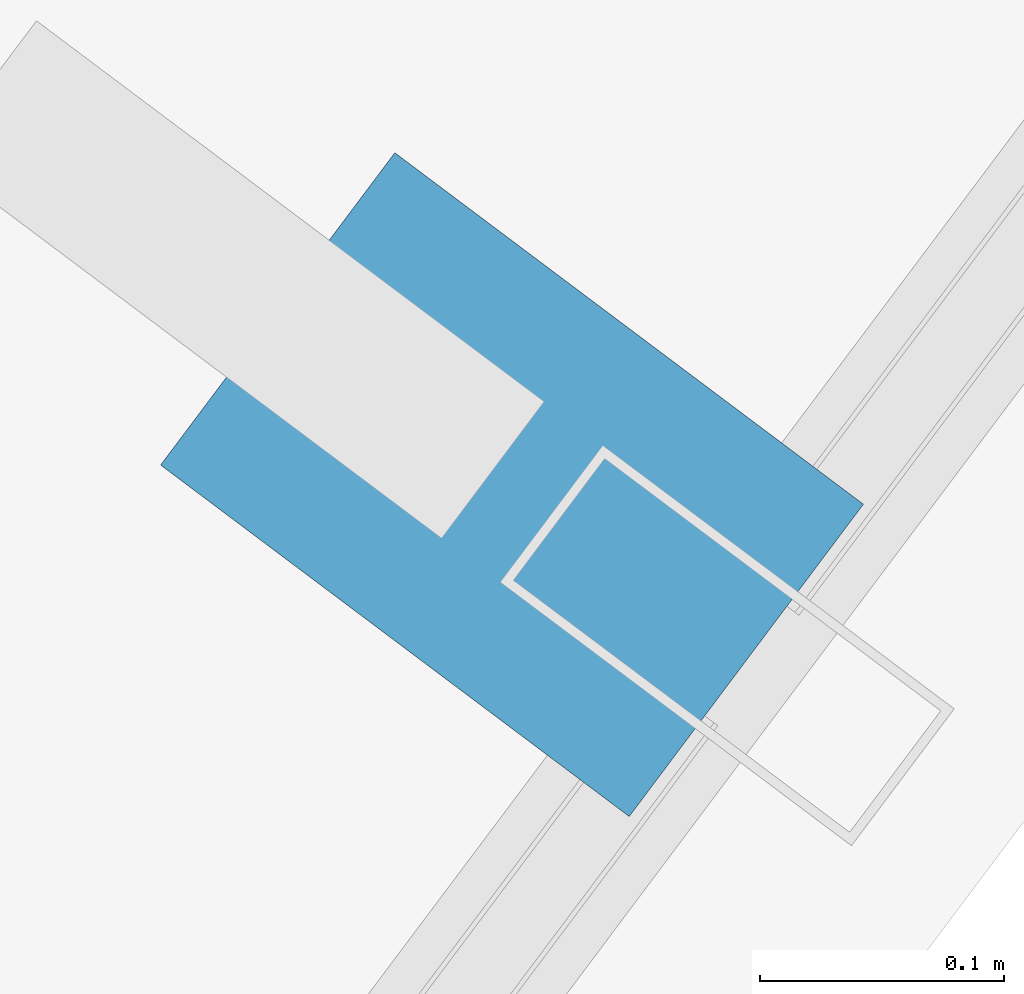
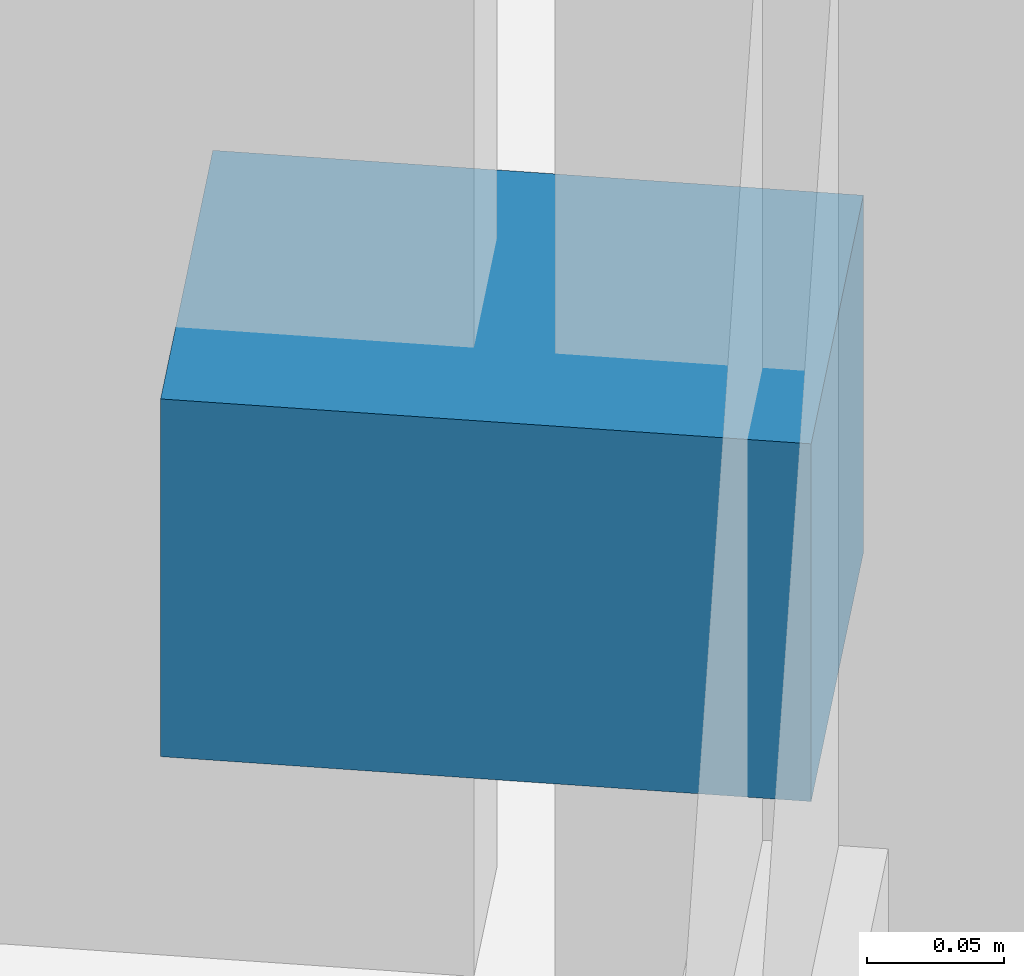
# One storey, part 30 of 37: 1 discrete accessory.
"""IFC4 building model written with IfcOpenShell, lengths in metres."""

import ifcopenshell
import ifcopenshell.guid

model = None  # the IFC model being written
_history = None  # IfcOwnerHistory: only IFC2X3 demands one
_inside = {}  # id of a spatial element -> (the spatial element, [elements in it])
_under = {}  # id of a project, library or spatial element -> (it, [spatial elements below it])
_declared = {}  # id of a project -> (the project, [libraries it declares])
_typed = {}  # id of a type object -> (the type object, [elements of that type])
_made_of = {}  # id of a material, layer set ... -> (it, [elements and type objects made of it])


def new_model(schema):
    """Start an empty IFC model of exactly this schema.

    Asked for "IFC4X3", IfcOpenShell would pick the latest addendum, in which some entities
    have other attributes; the version numbers below select the first issue.
    IFC2X3 requires an IfcOwnerHistory on every rooted entity: one is made here for all.
    """
    global model, _history
    if schema == "IFC4X3":
        model = ifcopenshell.file(schema_version=(4, 3, 0, 0))
    else:
        model = ifcopenshell.file(schema=schema)
    _inside.clear()
    _under.clear()
    _declared.clear()
    _typed.clear()
    _made_of.clear()
    _history = None
    if model.schema == "IFC2X3":
        org = make("IfcOrganization", Name="unknown")
        user = make(
            "IfcPersonAndOrganization",
            ThePerson=make("IfcPerson", FamilyName="unknown"),
            TheOrganization=org,
        )
        app = make(
            "IfcApplication",
            ApplicationDeveloper=org,
            Version="unknown",
            ApplicationFullName="unknown",
            ApplicationIdentifier="unknown",
        )
        _history = make(
            "IfcOwnerHistory",
            OwningUser=user,
            OwningApplication=app,
            ChangeAction="ADDED",
            CreationDate=0,
        )
    return model


def make(cls, **values):
    """One entity of the class cls with the attributes given. An attribute that is None is left unset."""
    return model.create_entity(
        cls, **{name: value for name, value in values.items() if value is not None}
    )


def rooted(cls, **values):
    """An entity with a GlobalId (a new one), such as an element, a storey or a relation."""
    return make(cls, GlobalId=ifcopenshell.guid.new(), OwnerHistory=_history, **values)


def si_unit(unit_type, name, prefix=None):
    """IfcSIUnit, for example si_unit("LENGTHUNIT", "METRE", prefix="MILLI")."""
    return make("IfcSIUnit", UnitType=unit_type, Prefix=prefix, Name=name)


def assignment(units):
    """IfcUnitAssignment: the units of a project."""
    return None if units is None else make("IfcUnitAssignment", Units=units)


def point(xyz):
    """IfcCartesianPoint."""
    return None if xyz is None else make("IfcCartesianPoint", Coordinates=xyz)


def direction(xyz):
    """IfcDirection."""
    return None if xyz is None else make("IfcDirection", DirectionRatios=xyz)


def frame(location, z_axis=None, x_axis=None):
    """IfcAxis2Placement3D, a coordinate frame: its origin and axes. An axis left out is left unset."""
    return make(
        "IfcAxis2Placement3D",
        Location=point(location),
        Axis=direction(z_axis),
        RefDirection=direction(x_axis),
    )


def frame_2d(location, x_axis=None):
    """IfcAxis2Placement2D, a coordinate frame in the plane: its origin and x axis."""
    return make(
        "IfcAxis2Placement2D", Location=point(location), RefDirection=direction(x_axis)
    )


def origin():
    """The frame at (0, 0, 0) with its axes left unset."""
    return frame((0.0, 0.0, 0.0))


def origin_2d():
    """The frame at (0, 0) in the plane with its x axis left unset."""
    return frame_2d((0.0, 0.0))


def place(relative_to, where):
    """IfcLocalPlacement: puts the frame where relative to a parent placement (None: the world)."""
    return make(
        "IfcLocalPlacement", PlacementRelTo=relative_to, RelativePlacement=where
    )


def context(
    kind, dimensions, precision=None, world=None, true_north=None, identifier=None
):
    """IfcGeometricRepresentationContext, for example the 3D "Model" context."""
    return make(
        "IfcGeometricRepresentationContext",
        ContextIdentifier=identifier,
        ContextType=kind,
        CoordinateSpaceDimension=dimensions,
        Precision=precision,
        WorldCoordinateSystem=world,
        TrueNorth=true_north,
    )


def subcontext(parent, identifier, kind, view, scale=None):
    """IfcGeometricRepresentationSubContext, for example "Body" below "Model"."""
    return make(
        "IfcGeometricRepresentationSubContext",
        ContextIdentifier=identifier,
        ContextType=kind,
        ParentContext=parent,
        TargetScale=scale,
        TargetView=view,
    )


def project(units=None, contexts=None):
    """IfcProject with its units and contexts."""
    return rooted(
        "IfcProject",
        Name="project",
        RepresentationContexts=contexts,
        UnitsInContext=assignment(units),
    )


def spatial(cls, under=None, at=None, **own):
    """A site, building, storey or space (cls), placed at a placement, below another one or the project."""
    s = rooted(cls, ObjectPlacement=at, **own)
    if under is not None:
        _under.setdefault(under.id(), (under, []))[1].append(s)
    return s


def profile(cls, at=None, kind="AREA", **sizes):
    """A parametric profile (cls). Its sizes go by their IFC names, for example OverallWidth=200.0."""
    return make(cls, ProfileType=kind, Position=at, **sizes)


def rectangle(**sizes):
    """IfcRectangleProfileDef."""
    return profile("IfcRectangleProfileDef", **sizes)


def extrude(swept, where, along, depth):
    """IfcExtrudedAreaSolid: the profile swept, set in the frame where, extruded along a direction by depth."""
    return make(
        "IfcExtrudedAreaSolid",
        SweptArea=swept,
        Position=where,
        ExtrudedDirection=direction(along),
        Depth=depth,
    )


def shape(context_of_items, identifier, shape_type, items):
    """IfcShapeRepresentation: the items that make up one representation, for example the "Body"."""
    return make(
        "IfcShapeRepresentation",
        ContextOfItems=context_of_items,
        RepresentationIdentifier=identifier,
        RepresentationType=shape_type,
        Items=items,
    )


def material(Name=None, Category=None):
    """IfcMaterial."""
    return make("IfcMaterial", Name=Name, Category=Category)


def made_of(thing, what):
    """Note that an element or type object is made of a material, layer set ...; save() writes the relation."""
    if what is not None:
        _made_of.setdefault(what.id(), (what, []))[1].append(thing)
    return thing


def type_object(cls, material=None, **own):
    """A type object (cls), such as IfcWallType, which elements share."""
    return made_of(rooted(cls, **own), material)


def element(
    cls,
    number,
    at=None,
    inside=None,
    cuts=None,
    type_object=None,
    material=None,
    context=None,
    identifier="Body",
    shape_type=None,
    held_by="IfcProductDefinitionShape",
    body=None,
    shapes=None,
    **own,
):
    """One element of the class cls, such as IfcWall. Its Tag is "e" and its number.

    at: its placement. inside: the storey or other place that contains it. cuts: it is an
    opening in that element (IfcRelVoidsElement). A single representation is given by context,
    identifier, shape_type and body (its items); several are given by shapes. held_by: the class
    of the entity that holds the representations. save() writes the other relations.
    """
    e = rooted(cls, Tag="e%d" % number, ObjectPlacement=at, **own)
    if body is not None:
        shapes = [shape(context, identifier, shape_type, body)]
    if shapes is not None:
        e.Representation = make(held_by, Representations=shapes)
    if inside is not None:
        _inside.setdefault(inside.id(), (inside, []))[1].append(e)
    if cuts is not None:
        rooted(
            "IfcRelVoidsElement", RelatingBuildingElement=cuts, RelatedOpeningElement=e
        )
    if type_object is not None:
        _typed.setdefault(type_object.id(), (type_object, []))[1].append(e)
    return made_of(e, material)


def aggregate(whole, parts):
    """IfcRelAggregates: a whole, such as a stair, and the parts it consists of."""
    return rooted("IfcRelAggregates", RelatingObject=whole, RelatedObjects=parts)


def save(model, path):
    """Write the relations noted so far, then the file.

    IfcRelAggregates (storeys below a building ...), IfcRelContainedInSpatialStructure (elements
    in a storey), IfcRelDefinesByType, IfcRelAssociatesMaterial and IfcRelDeclares: one each for
    every whole, place, type object, material and project.
    """
    for whole, parts in _under.values():
        aggregate(whole, parts)
    for where, things in _inside.values():
        rooted(
            "IfcRelContainedInSpatialStructure",
            RelatedElements=things,
            RelatingStructure=where,
        )
    for kind, things in _typed.values():
        rooted("IfcRelDefinesByType", RelatedObjects=things, RelatingType=kind)
    for what, things in _made_of.values():
        rooted("IfcRelAssociatesMaterial", RelatedObjects=things, RelatingMaterial=what)
    for by, libraries in _declared.values():
        rooted("IfcRelDeclares", RelatingContext=by, RelatedDefinitions=libraries)
    model.write(path)


model = new_model("IFC4")

# Units and contexts
model_context = context("Model", 3, precision=1e-05, world=origin(), true_north=direction((0.0, 1.0)))
body_context = subcontext(model_context, "Body", "Model", "MODEL_VIEW")
ifc_project = project(units=[si_unit("LENGTHUNIT", "METRE"), si_unit("AREAUNIT", "SQUARE_METRE"), si_unit("VOLUMEUNIT", "CUBIC_METRE"), si_unit("PLANEANGLEUNIT", "RADIAN"), si_unit("MASSUNIT", "GRAM", prefix="KILO")], contexts=[model_context])

# Site, building, storey
site_placement = place(None, origin())
site = spatial("IfcSite", under=ifc_project, at=site_placement, CompositionType="ELEMENT")
building_placement = place(site_placement, origin())
building = spatial("IfcBuilding", under=site, at=building_placement, Name="Hatsunagi Terrace Concourse", CompositionType="ELEMENT")
storey_placement = place(building_placement, frame((0.0, 0.0, 50.0)))
storey = spatial("IfcBuildingStorey", under=building, at=storey_placement, Name="L12", CompositionType="ELEMENT", Elevation=50.0)

# Discrete accessory
ifc_material = material(Name="Stainless Steel SUS316 Bracket", Category="steel")
discrete_accessory_type = type_object("IfcDiscreteAccessoryType", Name="FacadeScreenSupportBracket_SS", PredefinedType="BRACKET", material=ifc_material)
discrete_accessory_placement = place(storey_placement, frame((64.827880859375, 14.155029296875, 0.97021484375), z_axis=(0.0, 0.0, 1.0), x_axis=(-0.599969314634, -0.800023013105, 0.0)))
element("IfcDiscreteAccessory", 1, at=discrete_accessory_placement, inside=storey, type_object=discrete_accessory_type, Name="Terracotta Screen Bracket BRK-01", PredefinedType="BRACKET", context=body_context, shape_type="SweptSolid", body=[
    extrude(rectangle(XDim=0.159912109375, YDim=0.239990234375, at=origin_2d()), origin(), (0.0, 0.0, 1.0), 0.159912109375),
])

save(model, "model.ifc")
